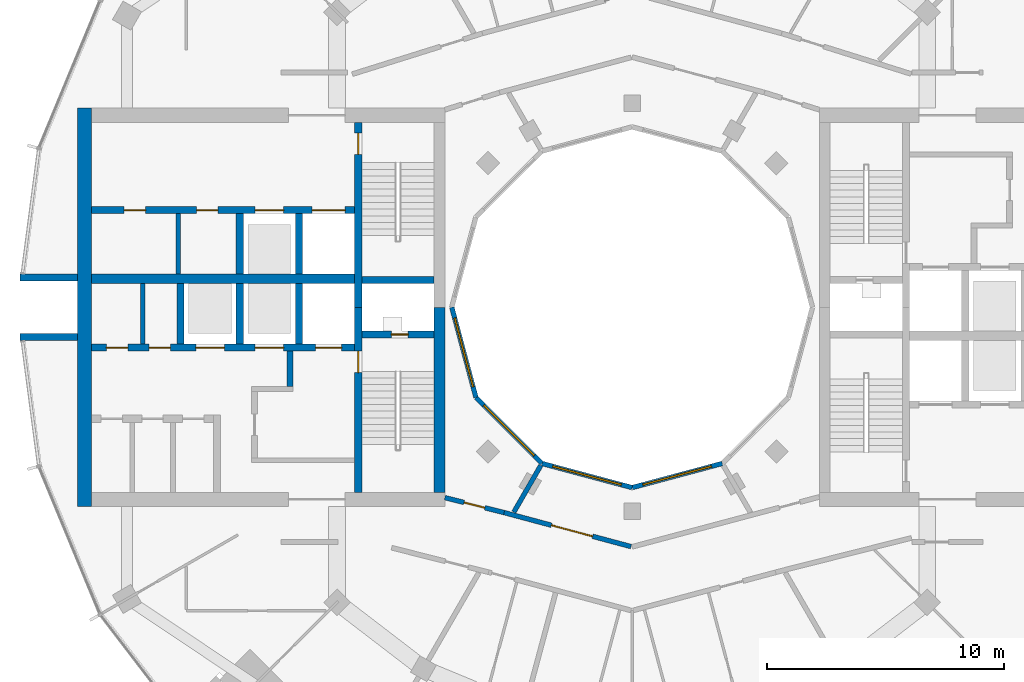
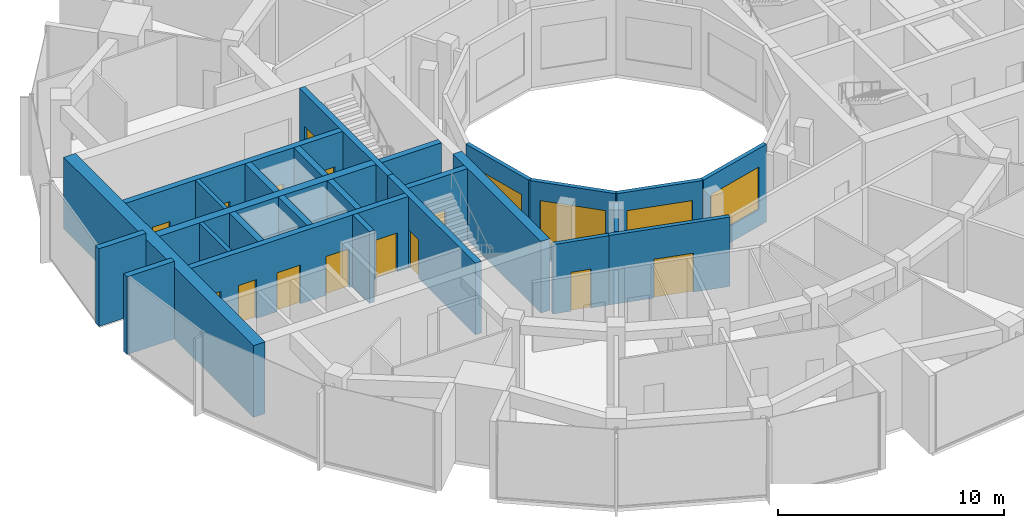
# One storey, part 9 of 15: 26 walls, 14 doors, 4 windows, 18 openings.
"""IFC4 building model written with IfcOpenShell, lengths in metres."""

from ifc_helpers import new_model, si_unit, direction, frame, frame_2d, origin, place, context, subcontext, project, spatial, rectangle, extrude, material, layer, layer_set, type_object, element, fill, save


model = new_model("IFC4")

# Units and contexts
model_context = context("Model", 3, precision=1e-05, world=origin(), true_north=direction((0.0, 1.0)))
body_context = subcontext(model_context, "Body", "Model", "MODEL_VIEW")
ifc_project = project(units=[si_unit("LENGTHUNIT", "METRE"), si_unit("AREAUNIT", "SQUARE_METRE"), si_unit("VOLUMEUNIT", "CUBIC_METRE"), si_unit("PLANEANGLEUNIT", "RADIAN"), si_unit("MASSUNIT", "GRAM", prefix="KILO")], contexts=[model_context])

# Site, building, storey
site_placement = place(None, origin())
site = spatial("IfcSite", under=ifc_project, at=site_placement, CompositionType="ELEMENT")
building_placement = place(site_placement, origin())
building = spatial("IfcBuilding", under=site, at=building_placement, Name="Torre Brocal", CompositionType="ELEMENT")
storey_placement = place(building_placement, frame((0.0, 0.0, 216.699951171875)))
storey = spatial("IfcBuildingStorey", under=building, at=storey_placement, Name="L50", CompositionType="ELEMENT", Elevation=216.699951171875)

# Walls
ifc_material_1 = material(Name="Masonry block", Category="masonry")
ifc_layer_1 = layer(ifc_material_1, 0.199951171875)
ifc_layer_set_1 = layer_set([ifc_layer_1], Name="Masonry block")
wall_type_1 = type_object("IfcWallType", Name="CORE PARTITION 200", PredefinedType="PARTITIONING", material=ifc_layer_set_1)
for number, where, z_axis, x_axis, name in (
    (1, (59.360107421875, 76.0, 0.0), (0.0, 0.0, 1.0), (0.0, -1.0, 0.0), "Wall CP200"),
    (2, (60.860107421875, 78.949951171875, 0.0), (0.0, 0.0, 1.0), (0.0, -1.0, 0.0), "Wall CP200"),
):
    element("IfcWall", number, at=place(storey_placement, frame(where, z_axis=z_axis, x_axis=x_axis)), inside=storey, type_object=wall_type_1, Name=name, PredefinedType="PARTITIONING", context=body_context, shape_type="SweptSolid", body=[
        extrude(rectangle(XDim=2.550048828125, YDim=0.199951171875, at=frame_2d((1.27490234375, 0.0))), origin(), (0.0, 0.0, 1.0), 3.880126953125),
    ])
ifc_material_2 = material(Name="Concrete C60", Category="concrete")
ifc_layer_2 = layer(ifc_material_2, 0.25)
ifc_layer_set_2 = layer_set([ifc_layer_2], Name="Concrete C60")
wall_type_2 = type_object("IfcWallType", Name="CORE WALL 250 C60", PredefinedType="SHEAR", material=ifc_layer_set_2)
wall_1_placement = place(storey_placement, frame((65.574951171875, 73.14990234375, 0.0), z_axis=(0.0, 0.0, 1.0), x_axis=(0.0, -1.0, 0.0)))
element("IfcWall", 3, at=wall_1_placement, inside=storey, type_object=wall_type_2, Name="Wall CW250-60", PredefinedType="SHEAR", context=body_context, shape_type="SweptSolid", body=[
    extrude(rectangle(XDim=1.5, YDim=0.25, at=frame_2d((0.75, 0.0))), origin(), (0.0, 0.0, 1.0), 3.880126953125),
])

# Wall, opening, door
ifc_material_3 = material(Name="Concrete C60", Category="concrete")
ifc_layer_3 = layer(ifc_material_3, 0.300048828125)
ifc_layer_set_3 = layer_set([ifc_layer_3], Name="Concrete C60")
wall_type_3 = type_object("IfcWallType", Name="CORE WALL 300 C60", PredefinedType="SHEAR", material=ifc_layer_set_3)
wall_2_placement = place(storey_placement, frame((68.449951171875, 75.0, 0.0), z_axis=(0.0, 0.0, 1.0), x_axis=(0.0, -1.0, 0.0)))
wall_2 = element("IfcWall", 4, at=wall_2_placement, inside=storey, type_object=wall_type_3, Name="Wall CW300-60", PredefinedType="SHEAR", context=body_context, shape_type="SweptSolid", body=[
    extrude(rectangle(XDim=7.800048828125, YDim=0.300048828125, at=frame_2d((3.89990234375, 0.0))), origin(), (0.0, 0.0, 1.0), 3.880126953125),
])
opening_1_placement = place(wall_2_placement, frame((1.85009765625, 0.0, 0.0)))
opening_1 = element("IfcOpeningElement", 5, at=opening_1_placement, cuts=wall_2, Name="Opening W-D02", PredefinedType="OPENING", context=body_context, shape_type="SweptSolid", body=[
    extrude(rectangle(XDim=0.89990234375, YDim=2.10009765625, at=frame_2d((0.449951171875, 1.050048828125))), frame((0.0, 0.159912109375, 0.0), z_axis=(0.0, -1.0, 0.0), x_axis=(1.0, 0.0, 0.0)), (0.0, 0.0, 1.0), 0.320068359375),
])
ifc_material_4 = material(Name="Steel A653", Category="steel")
door_type_1 = type_object("IfcDoorType", Name="STAIR DOOR FD120 900X2100", OperationType="SINGLE_SWING_RIGHT", PredefinedType="DOOR", material=ifc_material_4)
door_1_placement = place(opening_1_placement, origin())
door_1 = element("IfcDoor", 6, at=door_1_placement, inside=storey, type_object=door_type_1, Name="Door W-D02", OperationType="SINGLE_SWING_LEFT", OverallHeight=2.10009765625, OverallWidth=0.89990234375, PredefinedType="DOOR", context=body_context, shape_type="SweptSolid", body=[
    extrude(rectangle(XDim=0.89990234375, YDim=2.10009765625, at=frame_2d((0.449951171875, 1.050048828125))), frame((0.0, 0.02490234375, 0.0), z_axis=(0.0, -1.0, 0.0), x_axis=(1.0, 0.0, 0.0)), (0.0, 0.0, 1.0), 0.050048828125),
])
fill(opening_1, door_1)

wall_3_placement = place(storey_placement, frame((68.449951171875, 82.800048828125, 0.0), z_axis=(0.0, 0.0, 1.0), x_axis=(0.0, -1.0, 0.0)))
wall_3 = element("IfcWall", 7, at=wall_3_placement, inside=storey, type_object=wall_type_3, Name="Wall CW300-60", PredefinedType="SHEAR", context=body_context, shape_type="SweptSolid", body=[
    extrude(rectangle(XDim=7.800048828125, YDim=0.300048828125, at=frame_2d((3.89990234375, 0.0))), origin(), (0.0, 0.0, 1.0), 3.880126953125),
])
opening_2_placement = place(wall_3_placement, frame((0.449951171875, 0.0, 0.0)))
opening_2 = element("IfcOpeningElement", 8, at=opening_2_placement, cuts=wall_3, Name="Opening W-D03", PredefinedType="OPENING", context=body_context, shape_type="SweptSolid", body=[
    extrude(rectangle(XDim=0.89990234375, YDim=2.10009765625, at=frame_2d((0.449951171875, 1.050048828125))), frame((0.0, 0.159912109375, 0.0), z_axis=(0.0, -1.0, 0.0), x_axis=(1.0, 0.0, 0.0)), (0.0, 0.0, 1.0), 0.320068359375),
])
door_2_placement = place(opening_2_placement, origin())
door_2 = element("IfcDoor", 9, at=door_2_placement, inside=storey, type_object=door_type_1, Name="Door W-D03", OperationType="SINGLE_SWING_LEFT", OverallHeight=2.10009765625, OverallWidth=0.89990234375, PredefinedType="DOOR", context=body_context, shape_type="SweptSolid", body=[
    extrude(rectangle(XDim=0.89990234375, YDim=2.10009765625, at=frame_2d((0.449951171875, 1.050048828125))), frame((0.0, 0.02490234375, 0.0), z_axis=(0.0, -1.0, 0.0), x_axis=(1.0, 0.0, 0.0)), (0.0, 0.0, 1.0), 0.050048828125),
])
fill(opening_2, door_2)

wall_4_placement = place(storey_placement, frame((71.64990234375, 73.85009765625, 0.0), z_axis=(0.0, 0.0, 1.0), x_axis=(-1.0, 0.0, 0.0)))
wall_4 = element("IfcWall", 10, at=wall_4_placement, inside=storey, type_object=wall_type_3, Name="Wall CW300-60", PredefinedType="SHEAR", context=body_context, shape_type="SweptSolid", body=[
    extrude(rectangle(XDim=3.0498046875, YDim=0.300048828125, at=frame_2d((1.52490234375, 0.0))), origin(), (0.0, 0.0, 1.0), 3.880126953125),
])
opening_3_placement = place(wall_4_placement, frame((1.10009765625, 0.0, 0.0)))
opening_3 = element("IfcOpeningElement", 11, at=opening_3_placement, cuts=wall_4, Name="Opening W-D01", PredefinedType="OPENING", context=body_context, shape_type="SweptSolid", body=[
    extrude(rectangle(XDim=0.699951171875, YDim=2.0, at=frame_2d((0.35009765625, 1.0))), frame((0.0, 0.159912109375, 0.0), z_axis=(0.0, -1.0, 0.0), x_axis=(1.0, 0.0, 0.0)), (0.0, 0.0, 1.0), 0.320068359375),
])
ifc_material_5 = material(Name="Steel A653", Category="steel")
door_type_2 = type_object("IfcDoorType", Name="RISER DOOR FD120 700X2000", OperationType="SINGLE_SWING_LEFT", PredefinedType="DOOR", material=ifc_material_5)
door_3_placement = place(opening_3_placement, frame((0.699951171875, 0.0, 0.0), z_axis=(0.0, 0.0, 1.0), x_axis=(-1.0, 0.0, 0.0)))
door_3 = element("IfcDoor", 12, at=door_3_placement, inside=storey, type_object=door_type_2, Name="Door W-D01", OperationType="SINGLE_SWING_RIGHT", OverallHeight=2.0, OverallWidth=0.699951171875, PredefinedType="DOOR", context=body_context, shape_type="SweptSolid", body=[
    extrude(rectangle(XDim=0.699951171875, YDim=2.0, at=frame_2d((0.35009765625, 1.0))), frame((0.0, 0.02490234375, 0.0), z_axis=(0.0, -1.0, 0.0), x_axis=(1.0, 0.0, 0.0)), (0.0, 0.0, 1.0), 0.050048828125),
])
fill(opening_3, door_3)

# Wall
wall_5_placement = place(storey_placement, frame((71.64990234375, 76.14990234375, 0.0), z_axis=(0.0, 0.0, 1.0), x_axis=(-1.0, 0.0, 0.0)))
element("IfcWall", 13, at=wall_5_placement, inside=storey, type_object=wall_type_3, Name="Wall CW300-60", PredefinedType="SHEAR", context=body_context, shape_type="SweptSolid", body=[
    extrude(rectangle(XDim=3.0498046875, YDim=0.300048828125, at=frame_2d((1.52490234375, 0.0))), origin(), (0.0, 0.0, 1.0), 3.880126953125),
])

# Wall, openings, doors
wall_6_placement = place(storey_placement, frame((68.300048828125, 73.300048828125, 0.0), z_axis=(0.0, 0.0, 1.0), x_axis=(-1.0, 0.0, 0.0)))
wall_6 = element("IfcWall", 14, at=wall_6_placement, inside=storey, type_object=wall_type_3, Name="Wall CW300-60", PredefinedType="SHEAR", context=body_context, shape_type="SweptSolid", body=[
    extrude(rectangle(XDim=11.10009765625, YDim=0.300048828125, at=frame_2d((5.550048828125, 0.0))), origin(), (0.0, 0.0, 1.0), 3.880126953125),
])
opening_4_placement = place(wall_6_placement, frame((0.550048828125, 0.0, 0.0)))
opening_4 = element("IfcOpeningElement", 15, at=opening_4_placement, cuts=wall_6, Name="Opening LD", PredefinedType="OPENING", context=body_context, shape_type="SweptSolid", body=[
    extrude(rectangle(XDim=1.10009765625, YDim=2.10009765625, at=frame_2d((0.550048828125, 1.050048828125))), frame((0.0, 0.159912109375, 0.0), z_axis=(0.0, -1.0, 0.0), x_axis=(1.0, 0.0, 0.0)), (0.0, 0.0, 1.0), 0.320068359375),
])
opening_5_placement = place(wall_6_placement, frame((3.0, 0.0, 0.0)))
opening_5 = element("IfcOpeningElement", 16, at=opening_5_placement, cuts=wall_6, Name="Opening LD12", PredefinedType="OPENING", context=body_context, shape_type="SweptSolid", body=[
    extrude(rectangle(XDim=1.199951171875, YDim=2.10009765625, at=frame_2d((0.60009765625, 1.050048828125))), frame((0.0, 0.159912109375, 0.0), z_axis=(0.0, -1.0, 0.0), x_axis=(1.0, 0.0, 0.0)), (0.0, 0.0, 1.0), 0.320068359375),
])
opening_6_placement = place(wall_6_placement, frame((5.5, 0.0, 0.0)))
opening_6 = element("IfcOpeningElement", 17, at=opening_6_placement, cuts=wall_6, Name="Opening LD12", PredefinedType="OPENING", context=body_context, shape_type="SweptSolid", body=[
    extrude(rectangle(XDim=1.199951171875, YDim=2.10009765625, at=frame_2d((0.60009765625, 1.050048828125))), frame((0.0, 0.159912109375, 0.0), z_axis=(0.0, -1.0, 0.0), x_axis=(1.0, 0.0, 0.0)), (0.0, 0.0, 1.0), 0.320068359375),
])
opening_7_placement = place(wall_6_placement, frame((7.77001953125, 0.0, 0.0)))
opening_7 = element("IfcOpeningElement", 18, at=opening_7_placement, cuts=wall_6, Name="Opening W-D04", PredefinedType="OPENING", context=body_context, shape_type="SweptSolid", body=[
    extrude(rectangle(XDim=0.89990234375, YDim=2.10009765625, at=frame_2d((0.449951171875, 1.050048828125))), frame((0.0, 0.159912109375, 0.0), z_axis=(0.0, -1.0, 0.0), x_axis=(1.0, 0.0, 0.0)), (0.0, 0.0, 1.0), 0.320068359375),
])
opening_8_placement = place(wall_6_placement, frame((9.570068359375, 0.0, 0.0)))
opening_8 = element("IfcOpeningElement", 19, at=opening_8_placement, cuts=wall_6, Name="Opening W-D05", PredefinedType="OPENING", context=body_context, shape_type="SweptSolid", body=[
    extrude(rectangle(XDim=0.89990234375, YDim=2.10009765625, at=frame_2d((0.449951171875, 1.050048828125))), frame((0.0, 0.159912109375, 0.0), z_axis=(0.0, -1.0, 0.0), x_axis=(1.0, 0.0, 0.0)), (0.0, 0.0, 1.0), 0.320068359375),
])
ifc_material_6 = material(Name="Stainless steel AISI 316", Category="steel")
door_type_3 = type_object("IfcDoorType", Name="LIFT LANDING DOOR 1100X2100", OperationType="DOUBLE_DOOR_SLIDING", PredefinedType="DOOR", material=ifc_material_6)
door_4_placement = place(opening_4_placement, origin())
door_4 = element("IfcDoor", 20, at=door_4_placement, inside=storey, type_object=door_type_3, Name="Door LD", OperationType="DOUBLE_DOOR_SLIDING", OverallHeight=2.10009765625, OverallWidth=1.10009765625, PredefinedType="DOOR", context=body_context, shape_type="SweptSolid", body=[
    extrude(rectangle(XDim=1.10009765625, YDim=2.10009765625, at=frame_2d((0.550048828125, 1.050048828125))), frame((0.0, 0.02490234375, 0.0), z_axis=(0.0, -1.0, 0.0), x_axis=(1.0, 0.0, 0.0)), (0.0, 0.0, 1.0), 0.050048828125),
])
fill(opening_4, door_4)
ifc_material_7 = material(Name="Stainless steel AISI 316", Category="steel")
door_type_4 = type_object("IfcDoorType", Name="LIFT LANDING DOOR 1200X2100", OperationType="DOUBLE_DOOR_SLIDING", PredefinedType="DOOR", material=ifc_material_7)
door_5_placement = place(opening_5_placement, origin())
door_5 = element("IfcDoor", 21, at=door_5_placement, inside=storey, type_object=door_type_4, Name="Door LD12", OperationType="DOUBLE_DOOR_SLIDING", OverallHeight=2.10009765625, OverallWidth=1.199951171875, PredefinedType="DOOR", context=body_context, shape_type="SweptSolid", body=[
    extrude(rectangle(XDim=1.199951171875, YDim=2.10009765625, at=frame_2d((0.60009765625, 1.050048828125))), frame((0.0, 0.02490234375, 0.0), z_axis=(0.0, -1.0, 0.0), x_axis=(1.0, 0.0, 0.0)), (0.0, 0.0, 1.0), 0.050048828125),
])
fill(opening_5, door_5)
door_6_placement = place(opening_6_placement, origin())
door_6 = element("IfcDoor", 22, at=door_6_placement, inside=storey, type_object=door_type_4, Name="Door LD12", OperationType="DOUBLE_DOOR_SLIDING", OverallHeight=2.10009765625, OverallWidth=1.199951171875, PredefinedType="DOOR", context=body_context, shape_type="SweptSolid", body=[
    extrude(rectangle(XDim=1.199951171875, YDim=2.10009765625, at=frame_2d((0.60009765625, 1.050048828125))), frame((0.0, 0.02490234375, 0.0), z_axis=(0.0, -1.0, 0.0), x_axis=(1.0, 0.0, 0.0)), (0.0, 0.0, 1.0), 0.050048828125),
])
fill(opening_6, door_6)
ifc_material_8 = material(Name="Steel A653", Category="steel")
door_type_5 = type_object("IfcDoorType", Name="ROOM DOOR FD30S 900X2100", OperationType="SINGLE_SWING_LEFT", PredefinedType="DOOR", material=ifc_material_8)
door_7_placement = place(opening_7_placement, frame((0.89990234375, 0.0, 0.0), z_axis=(0.0, 0.0, 1.0), x_axis=(-1.0, 0.0, 0.0)))
door_7 = element("IfcDoor", 23, at=door_7_placement, inside=storey, type_object=door_type_5, Name="Door W-D04", OperationType="SINGLE_SWING_LEFT", OverallHeight=2.10009765625, OverallWidth=0.89990234375, PredefinedType="DOOR", context=body_context, shape_type="SweptSolid", body=[
    extrude(rectangle(XDim=0.89990234375, YDim=2.10009765625, at=frame_2d((0.449951171875, 1.050048828125))), frame((0.0, 0.02490234375, 0.0), z_axis=(0.0, -1.0, 0.0), x_axis=(1.0, 0.0, 0.0)), (0.0, 0.0, 1.0), 0.050048828125),
])
fill(opening_7, door_7)
door_8_placement = place(opening_8_placement, frame((0.89990234375, 0.0, 0.0), z_axis=(0.0, 0.0, 1.0), x_axis=(-1.0, 0.0, 0.0)))
door_8 = element("IfcDoor", 24, at=door_8_placement, inside=storey, type_object=door_type_5, Name="Door W-D05", OperationType="SINGLE_SWING_RIGHT", OverallHeight=2.10009765625, OverallWidth=0.89990234375, PredefinedType="DOOR", context=body_context, shape_type="SweptSolid", body=[
    extrude(rectangle(XDim=0.89990234375, YDim=2.10009765625, at=frame_2d((0.449951171875, 1.050048828125))), frame((0.0, 0.02490234375, 0.0), z_axis=(0.0, -1.0, 0.0), x_axis=(1.0, 0.0, 0.0)), (0.0, 0.0, 1.0), 0.050048828125),
])
fill(opening_8, door_8)

wall_7_placement = place(storey_placement, frame((68.300048828125, 79.10009765625, 0.0), z_axis=(0.0, 0.0, 1.0), x_axis=(-1.0, 0.0, 0.0)))
wall_7 = element("IfcWall", 25, at=wall_7_placement, inside=storey, type_object=wall_type_3, Name="Wall CW300-60", PredefinedType="SHEAR", context=body_context, shape_type="SweptSolid", body=[
    extrude(rectangle(XDim=11.10009765625, YDim=0.300048828125, at=frame_2d((5.550048828125, 0.0))), origin(), (0.0, 0.0, 1.0), 3.880126953125),
])
opening_9_placement = place(wall_7_placement, frame((0.39990234375, 0.0, 0.0)))
opening_9 = element("IfcOpeningElement", 26, at=opening_9_placement, cuts=wall_7, Name="Opening LD14", PredefinedType="OPENING", context=body_context, shape_type="SweptSolid", body=[
    extrude(rectangle(XDim=1.39990234375, YDim=2.10009765625, at=frame_2d((0.699951171875, 1.050048828125))), frame((0.0, 0.159912109375, 0.0), z_axis=(0.0, -1.0, 0.0), x_axis=(1.0, 0.0, 0.0)), (0.0, 0.0, 1.0), 0.320068359375),
])
opening_10_placement = place(wall_7_placement, frame((3.0, 0.0, 0.0)))
opening_10 = element("IfcOpeningElement", 27, at=opening_10_placement, cuts=wall_7, Name="Opening LD12", PredefinedType="OPENING", context=body_context, shape_type="SweptSolid", body=[
    extrude(rectangle(XDim=1.199951171875, YDim=2.10009765625, at=frame_2d((0.60009765625, 1.050048828125))), frame((0.0, 0.159912109375, 0.0), z_axis=(0.0, -1.0, 0.0), x_axis=(1.0, 0.0, 0.0)), (0.0, 0.0, 1.0), 0.320068359375),
])
opening_11_placement = place(wall_7_placement, frame((5.77001953125, 0.0, 0.0)))
opening_11 = element("IfcOpeningElement", 28, at=opening_11_placement, cuts=wall_7, Name="Opening W-D06", PredefinedType="OPENING", context=body_context, shape_type="SweptSolid", body=[
    extrude(rectangle(XDim=0.89990234375, YDim=2.10009765625, at=frame_2d((0.449951171875, 1.050048828125))), frame((0.0, 0.159912109375, 0.0), z_axis=(0.0, -1.0, 0.0), x_axis=(1.0, 0.0, 0.0)), (0.0, 0.0, 1.0), 0.320068359375),
])
opening_12_placement = place(wall_7_placement, frame((8.820068359375, 0.0, 0.0)))
opening_12 = element("IfcOpeningElement", 29, at=opening_12_placement, cuts=wall_7, Name="Opening W-D07", PredefinedType="OPENING", context=body_context, shape_type="SweptSolid", body=[
    extrude(rectangle(XDim=0.89990234375, YDim=2.10009765625, at=frame_2d((0.449951171875, 1.050048828125))), frame((0.0, 0.159912109375, 0.0), z_axis=(0.0, -1.0, 0.0), x_axis=(1.0, 0.0, 0.0)), (0.0, 0.0, 1.0), 0.320068359375),
])
door_9_placement = place(opening_10_placement, origin())
door_9 = element("IfcDoor", 30, at=door_9_placement, inside=storey, type_object=door_type_4, Name="Door LD12", OperationType="DOUBLE_DOOR_SLIDING", OverallHeight=2.10009765625, OverallWidth=1.199951171875, PredefinedType="DOOR", context=body_context, shape_type="SweptSolid", body=[
    extrude(rectangle(XDim=1.199951171875, YDim=2.10009765625, at=frame_2d((0.60009765625, 1.050048828125))), frame((0.0, 0.02490234375, 0.0), z_axis=(0.0, -1.0, 0.0), x_axis=(1.0, 0.0, 0.0)), (0.0, 0.0, 1.0), 0.050048828125),
])
fill(opening_10, door_9)
ifc_material_9 = material(Name="Stainless steel AISI 316", Category="steel")
door_type_6 = type_object("IfcDoorType", Name="LIFT LANDING DOOR 1400X2100", OperationType="DOUBLE_DOOR_SLIDING", PredefinedType="DOOR", material=ifc_material_9)
door_10_placement = place(opening_9_placement, origin())
door_10 = element("IfcDoor", 31, at=door_10_placement, inside=storey, type_object=door_type_6, Name="Door LD14", OperationType="DOUBLE_DOOR_SLIDING", OverallHeight=2.10009765625, OverallWidth=1.39990234375, PredefinedType="DOOR", context=body_context, shape_type="SweptSolid", body=[
    extrude(rectangle(XDim=1.39990234375, YDim=2.10009765625, at=frame_2d((0.699951171875, 1.050048828125))), frame((0.0, 0.02490234375, 0.0), z_axis=(0.0, -1.0, 0.0), x_axis=(1.0, 0.0, 0.0)), (0.0, 0.0, 1.0), 0.050048828125),
])
fill(opening_9, door_10)
door_11_placement = place(opening_11_placement, origin())
door_11 = element("IfcDoor", 32, at=door_11_placement, inside=storey, type_object=door_type_5, Name="Door W-D06", OperationType="SINGLE_SWING_RIGHT", OverallHeight=2.10009765625, OverallWidth=0.89990234375, PredefinedType="DOOR", context=body_context, shape_type="SweptSolid", body=[
    extrude(rectangle(XDim=0.89990234375, YDim=2.10009765625, at=frame_2d((0.449951171875, 1.050048828125))), frame((0.0, 0.02490234375, 0.0), z_axis=(0.0, -1.0, 0.0), x_axis=(1.0, 0.0, 0.0)), (0.0, 0.0, 1.0), 0.050048828125),
])
fill(opening_11, door_11)
door_12_placement = place(opening_12_placement, origin())
door_12 = element("IfcDoor", 33, at=door_12_placement, inside=storey, type_object=door_type_5, Name="Door W-D07", OperationType="SINGLE_SWING_LEFT", OverallHeight=2.10009765625, OverallWidth=0.89990234375, PredefinedType="DOOR", context=body_context, shape_type="SweptSolid", body=[
    extrude(rectangle(XDim=0.89990234375, YDim=2.10009765625, at=frame_2d((0.449951171875, 1.050048828125))), frame((0.0, 0.02490234375, 0.0), z_axis=(0.0, -1.0, 0.0), x_axis=(1.0, 0.0, 0.0)), (0.0, 0.0, 1.0), 0.050048828125),
])
fill(opening_12, door_12)

# Walls
for number, where, z_axis, x_axis, name in (
    (34, (65.949951171875, 76.0, 0.0), (0.0, 0.0, 1.0), (0.0, -1.0, 0.0), "Wall CW300-60"),
    (35, (63.449951171875, 76.0, 0.0), (0.0, 0.0, 1.0), (0.0, -1.0, 0.0), "Wall CW300-60"),
    (36, (60.949951171875, 76.0, 0.0), (0.0, 0.0, 1.0), (0.0, -1.0, 0.0), "Wall CW300-60"),
    (37, (65.949951171875, 78.949951171875, 0.0), (0.0, 0.0, 1.0), (0.0, -1.0, 0.0), "Wall CW300-60"),
    (38, (63.449951171875, 78.949951171875, 0.0), (0.0, 0.0, 1.0), (0.0, -1.0, 0.0), "Wall CW300-60"),
):
    element("IfcWall", number, at=place(storey_placement, frame(where, z_axis=z_axis, x_axis=x_axis)), inside=storey, type_object=wall_type_3, Name=name, PredefinedType="SHEAR", context=body_context, shape_type="SweptSolid", body=[
        extrude(rectangle(XDim=2.550048828125, YDim=0.300048828125, at=frame_2d((1.27490234375, 0.0))), origin(), (0.0, 0.0, 1.0), 3.880126953125),
    ])
ifc_material_10 = material(Name="Concrete C60", Category="concrete")
ifc_layer_4 = layer(ifc_material_10, 0.39990234375)
ifc_layer_set_4 = layer_set([ifc_layer_4], Name="Concrete C60")
wall_type_4 = type_object("IfcWallType", Name="CORE WALL 400 C60", PredefinedType="SHEAR", material=ifc_layer_set_4)
wall_8_placement = place(storey_placement, frame((68.300048828125, 76.199951171875, 0.0), z_axis=(0.0, 0.0, 1.0), x_axis=(-1.0, 0.0, 0.0)))
element("IfcWall", 39, at=wall_8_placement, inside=storey, type_object=wall_type_4, Name="Wall CW400-60", PredefinedType="SHEAR", context=body_context, shape_type="SweptSolid", body=[
    extrude(rectangle(XDim=11.10009765625, YDim=0.39990234375, at=frame_2d((5.550048828125, 0.0))), origin(), (0.0, 0.0, 1.0), 3.880126953125),
])
ifc_material_11 = material(Name="Concrete C60", Category="concrete")
ifc_layer_5 = layer(ifc_material_11, 0.449951171875)
ifc_layer_set_5 = layer_set([ifc_layer_5], Name="Concrete C60")
wall_type_5 = type_object("IfcWallType", Name="CORE WALL 450 C60", PredefinedType="SHEAR", material=ifc_layer_set_5)
wall_9_placement = place(storey_placement, frame((71.875, 75.0, 0.0), z_axis=(0.0, 0.0, 1.0), x_axis=(0.0, -1.0, 0.0)))
element("IfcWall", 40, at=wall_9_placement, inside=storey, type_object=wall_type_5, Name="Wall CW450-60", PredefinedType="SHEAR", context=body_context, shape_type="SweptSolid", body=[
    extrude(rectangle(XDim=7.800048828125, YDim=0.449951171875, at=frame_2d((3.89990234375, 0.0))), origin(), (0.0, 0.0, 1.0), 3.880126953125),
])
ifc_material_12 = material(Name="Concrete C60", Category="concrete")
ifc_layer_6 = layer(ifc_material_12, 0.60009765625)
ifc_layer_set_6 = layer_set([ifc_layer_6], Name="Concrete C60")
wall_type_6 = type_object("IfcWallType", Name="CORE WALL 600 C60", PredefinedType="SHEAR", material=ifc_layer_set_6)
wall_10_placement = place(storey_placement, frame((56.89990234375, 83.39990234375, 0.0), z_axis=(0.0, 0.0, 1.0), x_axis=(0.0, -1.0, 0.0)))
element("IfcWall", 41, at=wall_10_placement, inside=storey, type_object=wall_type_6, Name="Wall CW600-60", PredefinedType="SHEAR", context=body_context, shape_type="SweptSolid", body=[
    extrude(rectangle(XDim=16.7998046875, YDim=0.60009765625, at=frame_2d((8.39990234375, 0.0))), origin(), (0.0, 0.0, 1.0), 3.880126953125),
])
ifc_material_13 = material(Name="Concrete C60", Category="concrete")
ifc_layer_7 = layer(ifc_material_13, 0.300048828125)
ifc_layer_set_7 = layer_set([ifc_layer_7], Name="Concrete C60")
wall_type_7 = type_object("IfcWallType", Name="NOTCH RETURN WALL 300 C60", PredefinedType="NOTDEFINED", material=ifc_layer_set_7)
for number, where, z_axis, x_axis, name in (
    (42, (56.60009765625, 76.25, 0.0), (0.0, 0.0, 1.0), (-1.0, 0.0, 0.0), "NOTCH RETURN WALL"),
    (43, (56.60009765625, 73.75, 0.0), (0.0, 0.0, 1.0), (-1.0, 0.0, 0.0), "NOTCH RETURN WALL"),
):
    element("IfcWall", number, at=place(storey_placement, frame(where, z_axis=z_axis, x_axis=x_axis)), inside=storey, type_object=wall_type_7, Name=name, PredefinedType="NOTDEFINED", context=body_context, shape_type="SweptSolid", body=[
        extrude(rectangle(XDim=2.415771484375, YDim=0.300048828125, at=frame_2d((1.2080078125, 0.0))), origin(), (0.0, 0.0, 1.0), 4.199951171875),
    ])

# Wall, opening, door
ifc_material_14 = material(Name="Gypsum board", Category="Gypsum")
ifc_layer_8 = layer(ifc_material_14, 0.199951171875)
ifc_layer_set_8 = layer_set([ifc_layer_8], Name="Gypsum board")
wall_type_8 = type_object("IfcWallType", Name="PARTITION 200 EI60", PredefinedType="PARTITIONING", material=ifc_layer_set_8)
wall_11_placement = place(storey_placement, frame((72.10009765625, 66.97509765625, 0.0), z_axis=(0.0, 0.0, 1.0), x_axis=(0.969471314457, -0.245204752086, 0.0)))
wall_11 = element("IfcWall", 44, at=wall_11_placement, inside=storey, type_object=wall_type_8, Name="CORRIDOR WALL", PredefinedType="PARTITIONING", context=body_context, shape_type="SweptSolid", body=[
    extrude(rectangle(XDim=2.581787109375, YDim=0.199951171875, at=frame_2d((1.291015625, 0.0))), origin(), (0.0, 0.0, 1.0), 3.75),
])
opening_13_placement = place(wall_11_placement, frame((0.8408203125, 0.0, 0.0)))
opening_13 = element("IfcOpeningElement", 45, at=opening_13_placement, cuts=wall_11, Name="Opening B01-D39", PredefinedType="OPENING", context=body_context, shape_type="SweptSolid", body=[
    extrude(rectangle(XDim=0.89990234375, YDim=2.10009765625, at=frame_2d((0.449951171875, 1.050048828125))), frame((0.0, 0.10986328125, 0.0), z_axis=(0.0, -1.0, 0.0), x_axis=(1.0, 0.0, 0.0)), (0.0, 0.0, 1.0), 0.219970703125),
])
ifc_material_15 = material(Name="Timber", Category="wood")
door_type_7 = type_object("IfcDoorType", Name="ROOM DOOR 900X2100", OperationType="SINGLE_SWING_LEFT", PredefinedType="DOOR", material=ifc_material_15)
door_13_placement = place(opening_13_placement, origin())
door_13 = element("IfcDoor", 46, at=door_13_placement, inside=storey, type_object=door_type_7, Name="B01-D39", OperationType="SINGLE_SWING_LEFT", OverallHeight=2.10009765625, OverallWidth=0.89990234375, PredefinedType="DOOR", context=body_context, shape_type="SweptSolid", body=[
    extrude(rectangle(XDim=0.89990234375, YDim=2.10009765625, at=frame_2d((0.449951171875, 1.050048828125))), frame((0.0, 0.02490234375, 0.0), z_axis=(0.0, -1.0, 0.0), x_axis=(1.0, 0.0, 0.0)), (0.0, 0.0, 1.0), 0.050048828125),
])
fill(opening_13, door_13)

wall_12_placement = place(storey_placement, frame((74.60302734375, 66.34228515625, 0.0), z_axis=(0.0, 0.0, 1.0), x_axis=(0.965895298152, -0.258932950796, 0.0)))
wall_12 = element("IfcWall", 47, at=wall_12_placement, inside=storey, type_object=wall_type_8, Name="CORRIDOR WALL", PredefinedType="PARTITIONING", context=body_context, shape_type="SweptSolid", body=[
    extrude(rectangle(XDim=5.53759765625, YDim=0.199951171875, at=frame_2d((2.768798828125, 0.0))), origin(), (0.0, 0.0, 1.0), 3.75),
])
opening_14_placement = place(wall_12_placement, frame((2.0625, 0.0, 0.0)))
opening_14 = element("IfcOpeningElement", 48, at=opening_14_placement, cuts=wall_12, Name="Opening B01-D38", PredefinedType="OPENING", context=body_context, shape_type="SweptSolid", body=[
    extrude(rectangle(XDim=1.800048828125, YDim=2.10009765625, at=frame_2d((0.89990234375, 1.050048828125))), frame((0.0, 0.10986328125, 0.0), z_axis=(0.0, -1.0, 0.0), x_axis=(1.0, 0.0, 0.0)), (0.0, 0.0, 1.0), 0.219970703125),
])
ifc_material_16 = material(Name="Timber", Category="wood")
door_type_8 = type_object("IfcDoorType", Name="DOUBLE DOOR 1800X2100", OperationType="DOUBLE_DOOR_SINGLE_SWING", PredefinedType="DOOR", material=ifc_material_16)
door_14_placement = place(opening_14_placement, origin())
door_14 = element("IfcDoor", 49, at=door_14_placement, inside=storey, type_object=door_type_8, Name="B01-D38", OperationType="DOUBLE_DOOR_SINGLE_SWING", OverallHeight=2.10009765625, OverallWidth=1.800048828125, PredefinedType="DOOR", context=body_context, shape_type="SweptSolid", body=[
    extrude(rectangle(XDim=1.800048828125, YDim=2.10009765625, at=frame_2d((0.89990234375, 1.050048828125))), frame((0.0, 0.02490234375, 0.0), z_axis=(0.0, -1.0, 0.0), x_axis=(1.0, 0.0, 0.0)), (0.0, 0.0, 1.0), 0.050048828125),
])
fill(opening_14, door_14)

# Wall
wall_13_placement = place(storey_placement, frame((75.0126953125, 66.36279296875, 0.0), z_axis=(0.0, 0.0, 1.0), x_axis=(0.500121996664, 0.86595495752, 0.0)))
element("IfcWall", 50, at=wall_13_placement, inside=storey, type_object=wall_type_8, Name="SERVICE ROOM WALL", PredefinedType="PARTITIONING", context=body_context, shape_type="SweptSolid", body=[
    extrude(rectangle(XDim=2.2744140625, YDim=0.199951171875, at=frame_2d((1.13720703125, 0.0))), origin(), (0.0, 0.0, 1.0), 3.75),
])

# Wall, opening, window
ifc_material_17 = material(Name="Concrete C40", Category="concrete")
ifc_layer_9 = layer(ifc_material_17, 0.199951171875)
ifc_layer_set_9 = layer_set([ifc_layer_9], Name="Concrete C40")
wall_type_9 = type_object("IfcWallType", Name="WELL FACADE WALL 200", PredefinedType="NOTDEFINED", material=ifc_layer_set_9)
wall_14_placement = place(storey_placement, frame((72.396484375, 75.0, 0.0), z_axis=(0.0, 0.0, 1.0), x_axis=(0.258789828301, -0.965933654434, 0.0)))
wall_14 = element("IfcWall", 51, at=wall_14_placement, inside=storey, type_object=wall_type_9, Name="WELL FACADE WALL", PredefinedType="NOTDEFINED", context=body_context, shape_type="SweptSolid", body=[
    extrude(rectangle(XDim=3.935791015625, YDim=0.199951171875, at=frame_2d((1.9677734375, 0.0))), origin(), (0.0, 0.0, 1.0), 4.199951171875),
])
opening_15_placement = place(wall_14_placement, frame((0.468017578125, 0.0, 0.89990234375)))
opening_15 = element("IfcOpeningElement", 52, at=opening_15_placement, cuts=wall_14, Name="Opening W1", PredefinedType="OPENING", context=body_context, shape_type="SweptSolid", body=[
    extrude(rectangle(XDim=3.0, YDim=2.300048828125, at=frame_2d((1.5, 1.14990234375))), frame((0.0, 0.10986328125, 0.0), z_axis=(0.0, -1.0, 0.0), x_axis=(1.0, 0.0, 0.0)), (0.0, 0.0, 1.0), 0.219970703125),
])
ifc_material_18 = material(Name="Aluminium and glass", Category="aluminium")
window_type = type_object("IfcWindowType", Name="WELL WINDOW 3000X2300", PartitioningType="SINGLE_PANEL", PredefinedType="WINDOW", material=ifc_material_18)
window_1_placement = place(opening_15_placement, origin())
window_1 = element("IfcWindow", 53, at=window_1_placement, inside=storey, type_object=window_type, Name="WELL WINDOW 3000X2300", OverallHeight=2.300048828125, OverallWidth=3.0, PartitioningType="SINGLE_PANEL", PredefinedType="WINDOW", context=body_context, shape_type="SweptSolid", body=[
    extrude(rectangle(XDim=3.0, YDim=2.300048828125, at=frame_2d((1.5, 1.14990234375))), frame((0.0, 0.030029296875, 0.0), z_axis=(0.0, -1.0, 0.0), x_axis=(1.0, 0.0, 0.0)), (0.0, 0.0, 1.0), 0.06005859375),
])
fill(opening_15, window_1)

wall_15_placement = place(storey_placement, frame((73.4150390625, 71.1982421875, 0.0), z_axis=(0.0, 0.0, 1.0), x_axis=(0.707106781187, -0.707106781187, 0.0)))
wall_15 = element("IfcWall", 54, at=wall_15_placement, inside=storey, type_object=wall_type_9, Name="WELL FACADE WALL", PredefinedType="NOTDEFINED", context=body_context, shape_type="SweptSolid", body=[
    extrude(rectangle(XDim=3.93603515625, YDim=0.199951171875, at=frame_2d((1.968017578125, 0.0))), origin(), (0.0, 0.0, 1.0), 4.199951171875),
])
opening_16_placement = place(wall_15_placement, frame((0.468017578125, 0.0, 0.89990234375)))
opening_16 = element("IfcOpeningElement", 55, at=opening_16_placement, cuts=wall_15, Name="Opening W1", PredefinedType="OPENING", context=body_context, shape_type="SweptSolid", body=[
    extrude(rectangle(XDim=3.0, YDim=2.300048828125, at=frame_2d((1.5, 1.14990234375))), frame((0.0, 0.10986328125, 0.0), z_axis=(0.0, -1.0, 0.0), x_axis=(1.0, 0.0, 0.0)), (0.0, 0.0, 1.0), 0.219970703125),
])
window_2_placement = place(opening_16_placement, origin())
window_2 = element("IfcWindow", 56, at=window_2_placement, inside=storey, type_object=window_type, Name="WELL WINDOW 3000X2300", OverallHeight=2.300048828125, OverallWidth=3.0, PartitioningType="SINGLE_PANEL", PredefinedType="WINDOW", context=body_context, shape_type="SweptSolid", body=[
    extrude(rectangle(XDim=3.0, YDim=2.300048828125, at=frame_2d((1.5, 1.14990234375))), frame((0.0, 0.030029296875, 0.0), z_axis=(0.0, -1.0, 0.0), x_axis=(1.0, 0.0, 0.0)), (0.0, 0.0, 1.0), 0.06005859375),
])
fill(opening_16, window_2)

wall_16_placement = place(storey_placement, frame((76.1982421875, 68.4150390625, 0.0), z_axis=(0.0, 0.0, 1.0), x_axis=(0.965933654434, -0.258789828301, 0.0)))
wall_16 = element("IfcWall", 57, at=wall_16_placement, inside=storey, type_object=wall_type_9, Name="WELL FACADE WALL", PredefinedType="NOTDEFINED", context=body_context, shape_type="SweptSolid", body=[
    extrude(rectangle(XDim=3.935791015625, YDim=0.199951171875, at=frame_2d((1.9677734375, 0.0))), origin(), (0.0, 0.0, 1.0), 4.199951171875),
])
opening_17_placement = place(wall_16_placement, frame((0.468017578125, 0.0, 0.89990234375)))
opening_17 = element("IfcOpeningElement", 58, at=opening_17_placement, cuts=wall_16, Name="Opening W1", PredefinedType="OPENING", context=body_context, shape_type="SweptSolid", body=[
    extrude(rectangle(XDim=3.0, YDim=2.300048828125, at=frame_2d((1.5, 1.14990234375))), frame((0.0, 0.10986328125, 0.0), z_axis=(0.0, -1.0, 0.0), x_axis=(1.0, 0.0, 0.0)), (0.0, 0.0, 1.0), 0.219970703125),
])
window_3_placement = place(opening_17_placement, origin())
window_3 = element("IfcWindow", 59, at=window_3_placement, inside=storey, type_object=window_type, Name="WELL WINDOW 3000X2300", OverallHeight=2.300048828125, OverallWidth=3.0, PartitioningType="SINGLE_PANEL", PredefinedType="WINDOW", context=body_context, shape_type="SweptSolid", body=[
    extrude(rectangle(XDim=3.0, YDim=2.300048828125, at=frame_2d((1.5, 1.14990234375))), frame((0.0, 0.030029296875, 0.0), z_axis=(0.0, -1.0, 0.0), x_axis=(1.0, 0.0, 0.0)), (0.0, 0.0, 1.0), 0.06005859375),
])
fill(opening_17, window_3)

wall_17_placement = place(storey_placement, frame((80.0, 67.396484375, 0.0), z_axis=(0.0, 0.0, 1.0), x_axis=(0.965933654434, 0.258789828301, 0.0)))
wall_17 = element("IfcWall", 60, at=wall_17_placement, inside=storey, type_object=wall_type_9, Name="WELL FACADE WALL", PredefinedType="NOTDEFINED", context=body_context, shape_type="SweptSolid", body=[
    extrude(rectangle(XDim=3.935791015625, YDim=0.199951171875, at=frame_2d((1.9677734375, 0.0))), origin(), (0.0, 0.0, 1.0), 4.199951171875),
])
opening_18_placement = place(wall_17_placement, frame((0.468017578125, 0.0, 0.89990234375)))
opening_18 = element("IfcOpeningElement", 61, at=opening_18_placement, cuts=wall_17, Name="Opening W1", PredefinedType="OPENING", context=body_context, shape_type="SweptSolid", body=[
    extrude(rectangle(XDim=3.0, YDim=2.300048828125, at=frame_2d((1.5, 1.14990234375))), frame((0.0, 0.10986328125, 0.0), z_axis=(0.0, -1.0, 0.0), x_axis=(1.0, 0.0, 0.0)), (0.0, 0.0, 1.0), 0.219970703125),
])
window_4_placement = place(opening_18_placement, origin())
window_4 = element("IfcWindow", 62, at=window_4_placement, inside=storey, type_object=window_type, Name="WELL WINDOW 3000X2300", OverallHeight=2.300048828125, OverallWidth=3.0, PartitioningType="SINGLE_PANEL", PredefinedType="WINDOW", context=body_context, shape_type="SweptSolid", body=[
    extrude(rectangle(XDim=3.0, YDim=2.300048828125, at=frame_2d((1.5, 1.14990234375))), frame((0.0, 0.030029296875, 0.0), z_axis=(0.0, -1.0, 0.0), x_axis=(1.0, 0.0, 0.0)), (0.0, 0.0, 1.0), 0.06005859375),
])
fill(opening_18, window_4)

save(model, "model.ifc")
